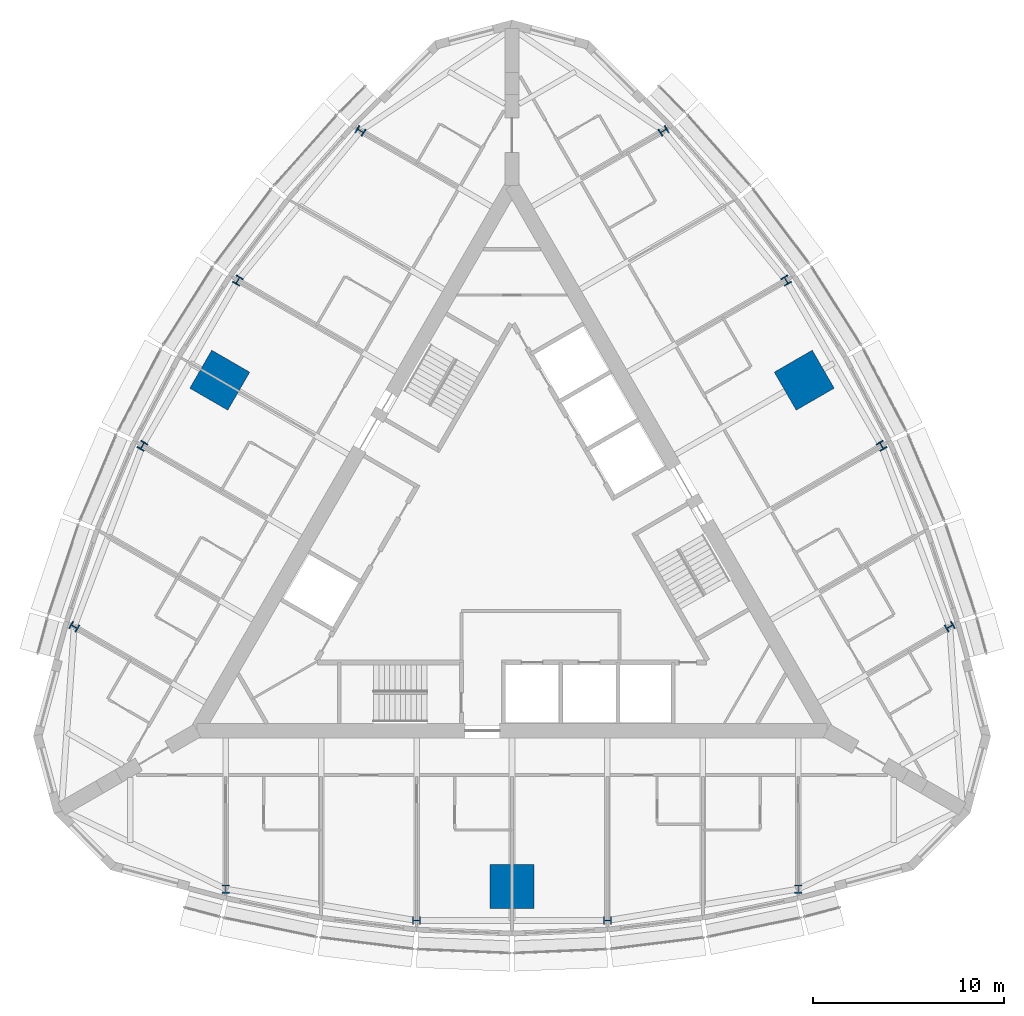
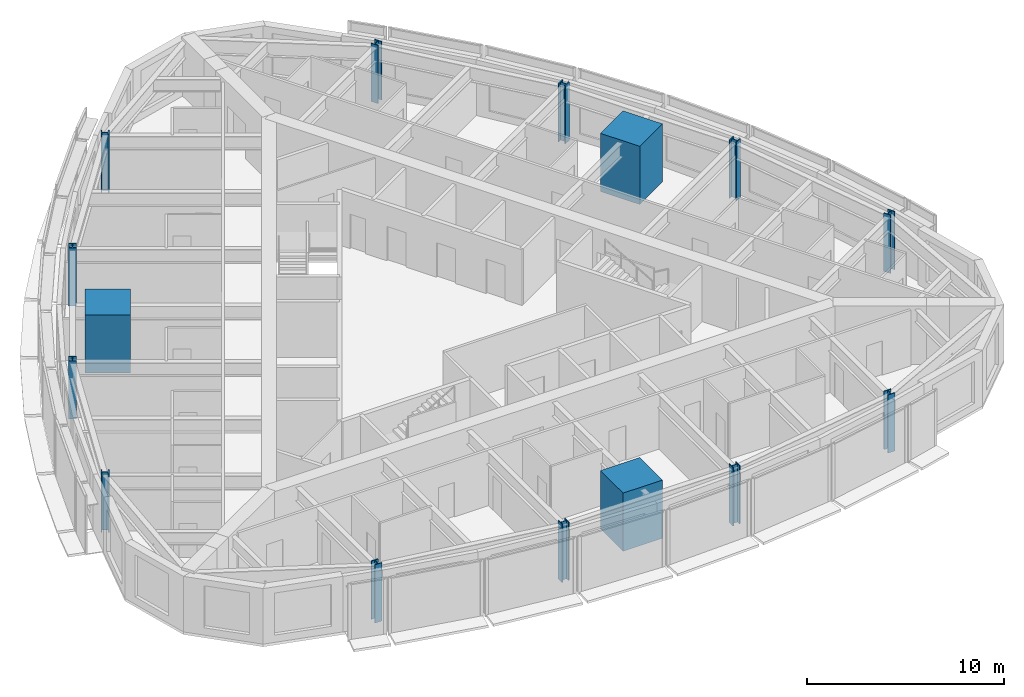
# One storey, part 1 of 15: 15 columns.
"""IFC4 building model written with IfcOpenShell, lengths in metres."""

from ifc_helpers import new_model, si_unit, direction, frame, origin, origin_2d, place, context, subcontext, project, spatial, rectangle, i_section, extrude, material, material_profile, profile_set, type_object, element, save


model = new_model("IFC4")

# Units and contexts
model_context = context("Model", 3, precision=1e-05, world=origin(), true_north=direction((0.0, 1.0)))
body_context = subcontext(model_context, "Body", "Model", "MODEL_VIEW")
ifc_project = project(units=[si_unit("LENGTHUNIT", "METRE"), si_unit("AREAUNIT", "SQUARE_METRE"), si_unit("VOLUMEUNIT", "CUBIC_METRE"), si_unit("PLANEANGLEUNIT", "RADIAN"), si_unit("MASSUNIT", "GRAM", prefix="KILO")], contexts=[model_context])

# Site, building, storey
site_placement = place(None, origin())
site = spatial("IfcSite", under=ifc_project, at=site_placement, CompositionType="ELEMENT")
building_placement = place(site_placement, origin())
building = spatial("IfcBuilding", under=site, at=building_placement, Name="Trikona Tower", CompositionType="ELEMENT")
storey_placement = place(building_placement, frame((0.0, 0.0, 215.300048828125)))
storey = spatial("IfcBuildingStorey", under=building, at=storey_placement, Name="L57", CompositionType="ELEMENT", Elevation=215.300048828125)

# Columns
ifc_material_1 = material(Name="Concrete f'c 10000 psi with encased steel section", Category="concrete")
ifc_material_profile_1 = material_profile(ifc_material_1, rectangle(XDim=2.300048828125, YDim=2.300048828125, at=origin_2d()), Name="MC2300")
ifc_profile_set_1 = profile_set([ifc_material_profile_1], Name="Concrete f'c 10000 psi with encased steel section")
column_type_1 = type_object("IfcColumnType", Name="Composite mega column 2300x2300", PredefinedType="COLUMN", material=ifc_profile_set_1)
for number, where, z_axis, x_axis, name in (
    (1, (0.0, -17.680419921875, 0.0), (0.0, 0.0, 1.0), (0.0, -1.0, 0.0), "Mega column MC1"),
    (2, (15.311767578125, 8.84033203125, 0.0), (0.0, 0.0, 1.0), (0.866025403784, 0.5, 0.0), "Mega column MC2"),
    (3, (-15.311767578125, 8.84033203125, 0.0), (0.0, 0.0, 1.0), (-0.866025403784, 0.5, 0.0), "Mega column MC3"),
):
    element("IfcColumn", number, at=place(storey_placement, frame(where, z_axis=z_axis, x_axis=x_axis)), inside=storey, type_object=column_type_1, Name=name, PredefinedType="COLUMN", context=body_context, shape_type="SweptSolid", body=[
        extrude(rectangle(XDim=2.300048828125, YDim=2.300048828125, at=origin_2d()), origin(), (0.0, 0.0, 1.0), 3.599853515625),
    ])
ifc_material_2 = material(Name="Steel ASTM A992 Grade 50", Category="steel")
ifc_material_profile_2 = material_profile(ifc_material_2, i_section(OverallWidth=0.411376953125, OverallDepth=0.434326171875, WebThickness=0.035888671875, FlangeThickness=0.057373046875, at=origin_2d()), Name="W14X311")
ifc_profile_set_2 = profile_set([ifc_material_profile_2], Name="Steel ASTM A992 Grade 50")
column_type_2 = type_object("IfcColumnType", Name="Steel column W14x311", PredefinedType="COLUMN", material=ifc_profile_set_2)
for number, where, z_axis, x_axis, name in (
    (4, (-15.0, -17.824951171875, 0.0), (0.0, 0.0, 1.0), (1.0, 0.0, 0.0), "Column F0m15"),
    (5, (-5.0, -19.471923828125, 0.0), (0.0, 0.0, 1.0), (0.0, -1.0, 0.0), "Column F0m5"),
    (6, (5.0, -19.471923828125, 0.0), (0.0, 0.0, 1.0), (0.0, -1.0, 0.0), "Column F0p5"),
    (7, (15.0, -17.824951171875, 0.0), (0.0, 0.0, 1.0), (1.0, 0.0, 0.0), "Column F0p15"),
    (8, (22.936767578125, -4.077880859375, 0.0), (0.0, 0.0, 1.0), (-0.5, 0.866025403784, 0.0), "Column F1m15"),
    (9, (19.36328125, 5.406005859375, 0.0), (0.0, 0.0, 1.0), (0.866025403784, 0.5, 0.0), "Column F1m5"),
    (10, (14.36328125, 14.066162109375, 0.0), (0.0, 0.0, 1.0), (0.866025403784, 0.5, 0.0), "Column F1p5"),
    (11, (7.936767578125, 21.90283203125, 0.0), (0.0, 0.0, 1.0), (-0.5, 0.866025403784, 0.0), "Column F1p15"),
    (12, (-7.936767578125, 21.90283203125, 0.0), (0.0, 0.0, 1.0), (-0.5, -0.866025403784, 0.0), "Column F2m15"),
    (13, (-14.36328125, 14.066162109375, 0.0), (0.0, 0.0, 1.0), (-0.866025403784, 0.5, 0.0), "Column F2m5"),
    (14, (-19.36328125, 5.406005859375, 0.0), (0.0, 0.0, 1.0), (-0.866025403784, 0.5, 0.0), "Column F2p5"),
    (15, (-22.936767578125, -4.077880859375, 0.0), (0.0, 0.0, 1.0), (-0.5, -0.866025403784, 0.0), "Column F2p15"),
):
    element("IfcColumn", number, at=place(storey_placement, frame(where, z_axis=z_axis, x_axis=x_axis)), inside=storey, type_object=column_type_2, Name=name, PredefinedType="COLUMN", context=body_context, shape_type="SweptSolid", body=[
        extrude(i_section(OverallWidth=0.411376953125, OverallDepth=0.434326171875, WebThickness=0.035888671875, FlangeThickness=0.057373046875, at=origin_2d()), origin(), (0.0, 0.0, 1.0), 3.599853515625),
    ])

save(model, "model.ifc")
